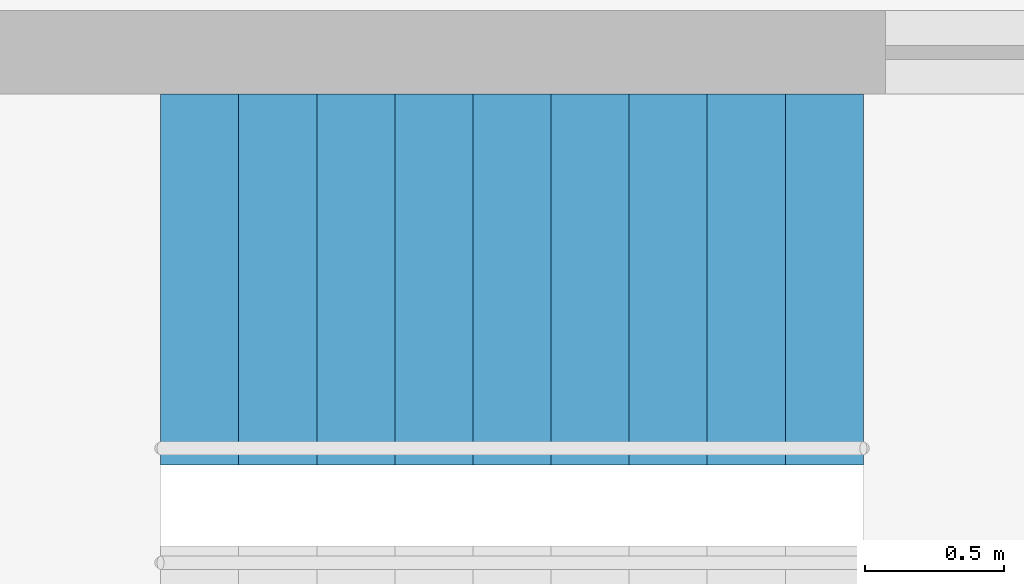
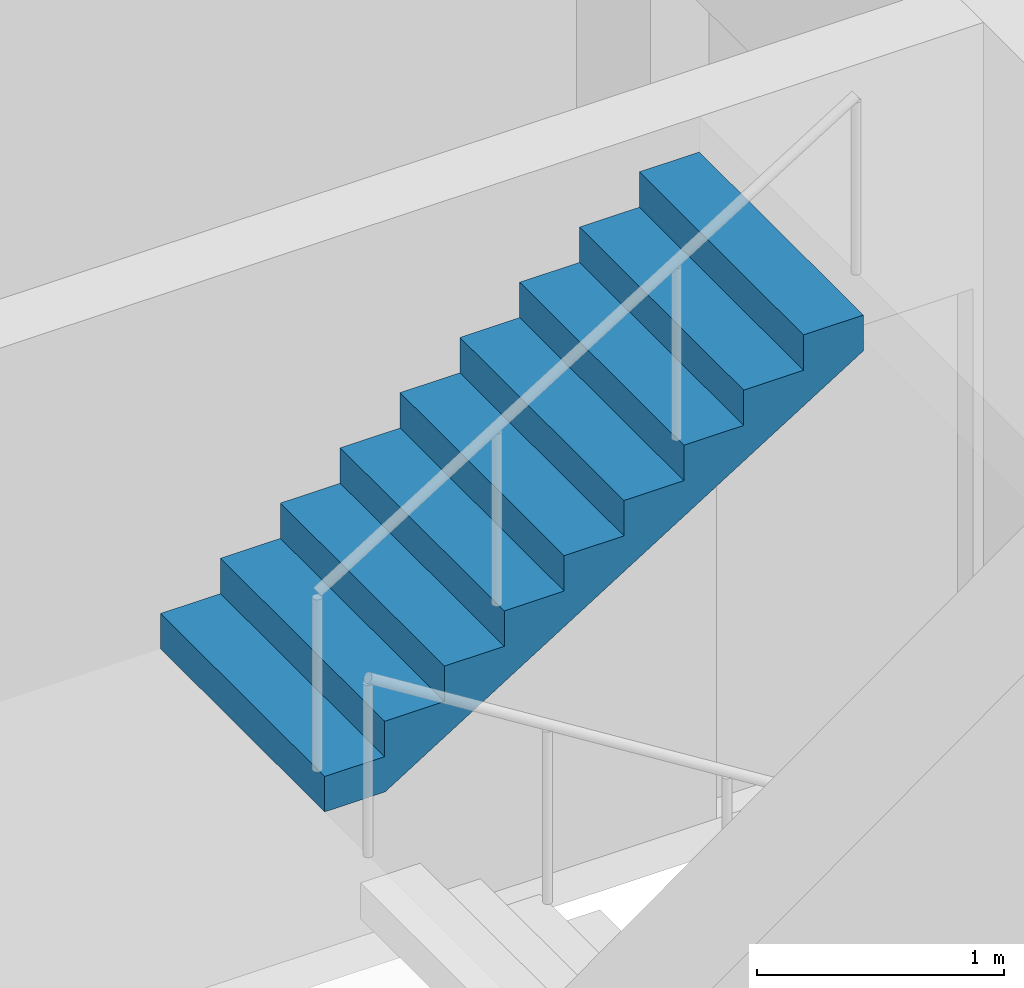
# One storey, part 9 of 10: 1 stair flight, 1 element without a shape of its own.
"""IFC4 building model written with IfcOpenShell, lengths in metres."""

from ifc_helpers import new_model, si_unit, direction, frame, origin, place, context, subcontext, project, spatial, polyline, outline, extrude, material, type_object, element, aggregate, save


model = new_model("IFC4")

# Units and contexts
model_context = context("Model", 3, precision=1e-05, world=origin(), true_north=direction((0.0, 1.0)))
body_context = subcontext(model_context, "Body", "Model", "MODEL_VIEW")
ifc_project = project(units=[si_unit("LENGTHUNIT", "METRE"), si_unit("AREAUNIT", "SQUARE_METRE"), si_unit("VOLUMEUNIT", "CUBIC_METRE"), si_unit("PLANEANGLEUNIT", "RADIAN"), si_unit("MASSUNIT", "GRAM", prefix="KILO")], contexts=[model_context])

# Site, building, storey
site_placement = place(None, origin())
site = spatial("IfcSite", under=ifc_project, at=site_placement, CompositionType="ELEMENT")
building_placement = place(site_placement, origin())
building = spatial("IfcBuilding", under=site, at=building_placement, Name="Turquesa Mirador Hotel Tower", CompositionType="ELEMENT")
storey_placement = place(building_placement, frame((0.0, 0.0, 63.5)))
storey = spatial("IfcBuildingStorey", under=building, at=storey_placement, Name="L16", CompositionType="ELEMENT", Elevation=63.5)

# Stair, stair flight
ifc_material_1 = material(Name="Concrete C35/45", Category="concrete")
stair_type = type_object("IfcStairType", Name="ESCAPE STAIR CORE", PredefinedType="HALF_TURN_STAIR", material=ifc_material_1)
stair_placement = place(storey_placement, origin())
stair = element("IfcStair", 1, at=stair_placement, inside=storey, type_object=stair_type, Name="Stair ST3 L16 to L17", PredefinedType="HALF_TURN_STAIR")
ifc_material_2 = material(Name="Concrete C35/45 precast flight", Category="concrete")
stair_flight_type = type_object("IfcStairFlightType", Name="STAIR FLIGHT 1330", PredefinedType="STRAIGHT", material=ifc_material_2)
stair_flight_placement = place(storey_placement, frame((60.550048828125, 47.43505859375, 1.75), z_axis=(0.0, 0.0, 1.0), x_axis=(1.0, 0.0, 0.0)))
stair_flight = element("IfcStairFlight", 2, at=stair_flight_placement, type_object=stair_flight_type, Name="ST3 flight 2", NumberOfRisers=10, NumberOfTreads=9, PredefinedType="STRAIGHT", RiserHeight=0.175, TreadLength=0.28, context=body_context, shape_type="SweptSolid", body=[
    extrude(outline(polyline([(0.0, 0.0), (0.0, 0.175048828125), (0.280029296875, 0.175048828125), (0.280029296875, 0.35009765625), (0.56005859375, 0.35009765625), (0.56005859375, 0.52490234375), (0.840087890625, 0.52490234375), (0.840087890625, 0.699951171875), (1.1201171875, 0.699951171875), (1.1201171875, 0.875), (1.39990234375, 0.875), (1.39990234375, 1.050048828125), (1.679931640625, 1.050048828125), (1.679931640625, 1.22509765625), (1.9599609375, 1.22509765625), (1.9599609375, 1.39990234375), (2.239990234375, 1.39990234375), (2.239990234375, 1.574951171875), (2.52001953125, 1.574951171875), (2.52001953125, 1.75), (2.52001953125, 1.398193359375), (0.28271484375, 0.0), (0.0, 0.0)])), frame((0.0, 0.6650390625, 0.0), z_axis=(0.0, -1.0, 0.0), x_axis=(1.0, 0.0, 0.0)), (0.0, 0.0, 1.0), 1.330078125),
])
aggregate(stair, [stair_flight])

save(model, "model.ifc")
